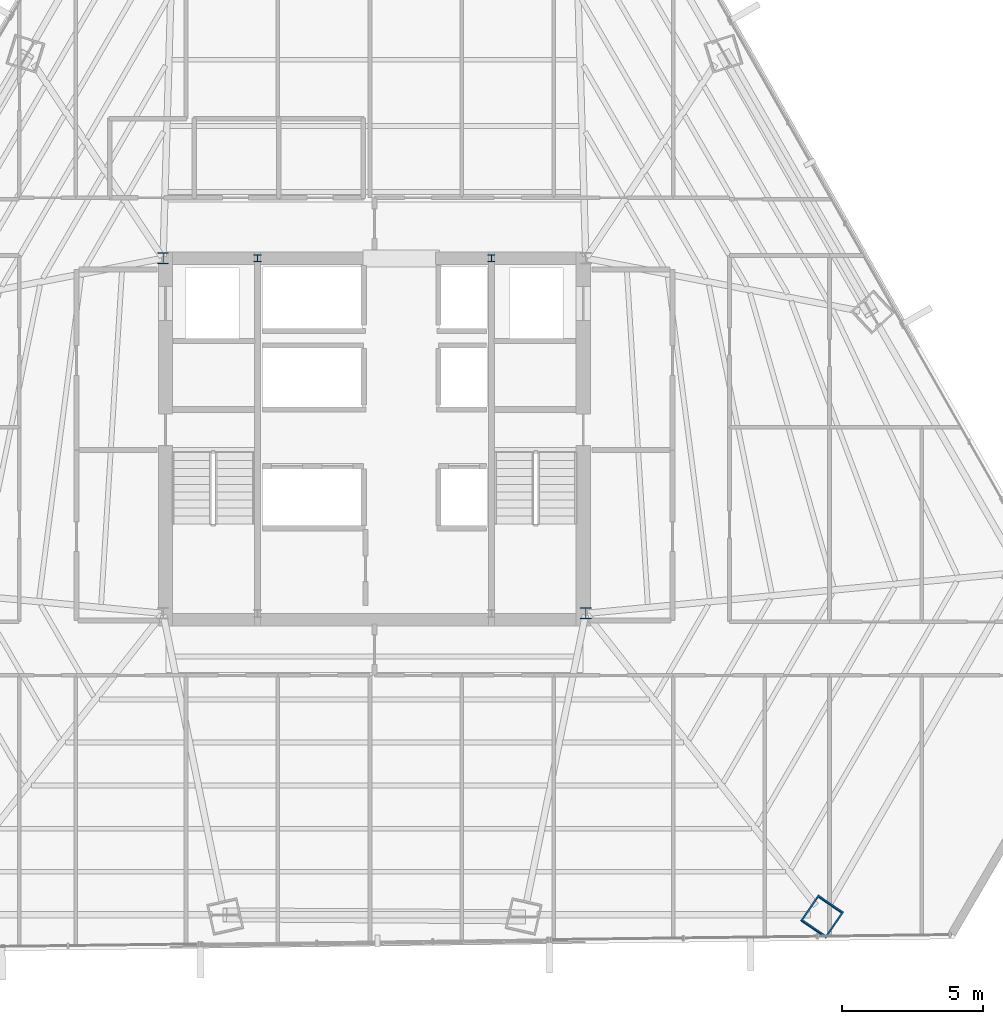
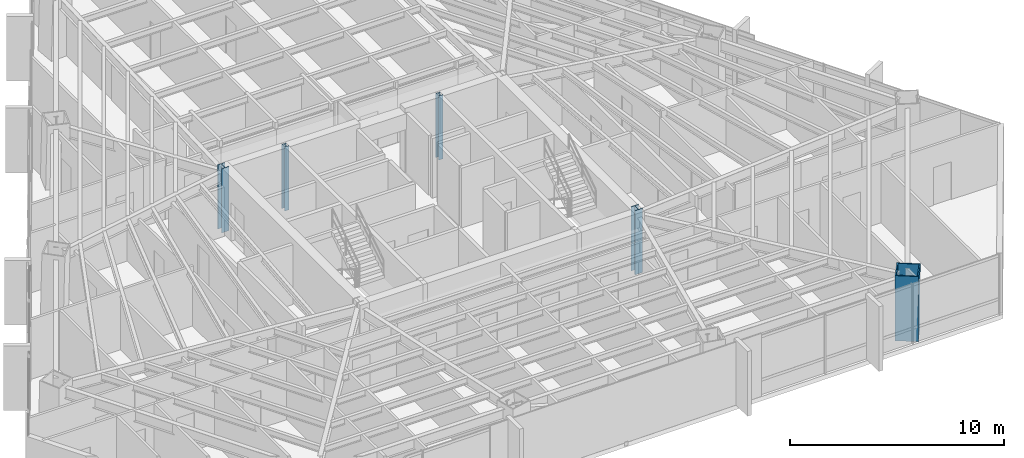
# One storey, part 2 of 37: 5 columns.
"""IFC4 building model written with IfcOpenShell, lengths in metres."""

from ifc_helpers import new_model, si_unit, direction, frame, origin, origin_2d, place, context, subcontext, project, spatial, hollow_rectangle, i_section, extrude, source, transform, mapped, material, material_profile, profile_set, type_object, type_shapes, element, save


model = new_model("IFC4")

# Units and contexts
model_context = context("Model", 3, precision=1e-05, world=origin(), true_north=direction((0.0, 1.0)))
body_context = subcontext(model_context, "Body", "Model", "MODEL_VIEW")
ifc_project = project(units=[si_unit("LENGTHUNIT", "METRE"), si_unit("AREAUNIT", "SQUARE_METRE"), si_unit("VOLUMEUNIT", "CUBIC_METRE"), si_unit("PLANEANGLEUNIT", "RADIAN"), si_unit("MASSUNIT", "GRAM", prefix="KILO")], contexts=[model_context])

# Site, building, storey
site_placement = place(None, origin())
site = spatial("IfcSite", under=ifc_project, at=site_placement, CompositionType="ELEMENT")
building_placement = place(site_placement, origin())
building = spatial("IfcBuilding", under=site, at=building_placement, Name="Caelisora Broadcast Tower", CompositionType="ELEMENT")
storey_placement = place(building_placement, frame((0.0, 0.0, 120.0)))
storey = spatial("IfcBuildingStorey", under=building, at=storey_placement, Name="L31", CompositionType="ELEMENT", Elevation=120.0)

# Columns
ifc_material_1 = material(Name="Steel Grade 350 (AS/NZS 3679.1)", Category="steel")
ifc_material_profile_1 = material_profile(ifc_material_1, i_section(OverallWidth=0.256103515625, OverallDepth=0.260009765625, WebThickness=0.010498046875, FlangeThickness=0.017333984375, at=origin_2d()), Name="Steel Grade 350 (AS/NZS 3679.1)")
ifc_profile_set_1 = profile_set([ifc_material_profile_1], Name="Steel Grade 350 (AS/NZS 3679.1)")
column_type_1 = type_object("IfcColumnType", Name="CC05", PredefinedType="COLUMN", material=ifc_profile_set_1)
shared_shape_1 = source(origin(), body_context, "Body", "SweptSolid", [
    extrude(i_section(OverallWidth=0.256103515625, OverallDepth=0.260009765625, WebThickness=0.010498046875, FlangeThickness=0.017333984375, at=origin_2d()), origin(), (0.0, 0.0, 1.0), 3.64990234375),
])
type_shapes(column_type_1, [shared_shape_1])
for number, where, z_axis, x_axis, name in (
    (1, (33.85009765625, 30.0, 0.0), (0.0, 0.0, 1.0), (1.0, 0.0, 0.0), "L31 column CC05"),
    (2, (42.14990234375, 30.0, 0.0), (0.0, 0.0, 1.0), (1.0, 0.0, 0.0), "L31 column CC05"),
):
    element("IfcColumn", number, at=place(storey_placement, frame(where, z_axis=z_axis, x_axis=x_axis)), inside=storey, type_object=column_type_1, Name=name, PredefinedType="COLUMN", context=body_context, shape_type="MappedRepresentation", body=[
        mapped(shared_shape_1, transform((0.0, 0.0, 0.0), scale=1.0)),
    ])
ifc_material_2 = material(Name="Steel Grade 350 (AS/NZS 3679.2)", Category="steel")
ifc_material_profile_2 = material_profile(ifc_material_2, i_section(OverallWidth=0.39990234375, OverallDepth=0.39990234375, WebThickness=0.02001953125, FlangeThickness=0.031982421875, at=origin_2d()), Name="Steel Grade 350 (AS/NZS 3679.2)")
ifc_profile_set_2 = profile_set([ifc_material_profile_2], Name="Steel Grade 350 (AS/NZS 3679.2)")
column_type_2 = type_object("IfcColumnType", Name="CC02", PredefinedType="COLUMN", material=ifc_profile_set_2)
shared_shape_2 = source(origin(), body_context, "Body", "SweptSolid", [
    extrude(i_section(OverallWidth=0.39990234375, OverallDepth=0.39990234375, WebThickness=0.02001953125, FlangeThickness=0.031982421875, at=origin_2d()), origin(), (0.0, 0.0, 1.0), 3.64990234375),
])
type_shapes(column_type_2, [shared_shape_2])
for number, where, z_axis, x_axis, name in (
    (3, (45.5, 17.39990234375, 0.0), (0.0, 0.0, 1.0), (1.0, 0.0, 0.0), "L31 column CC02"),
    (4, (30.5, 30.0, 0.0), (0.0, 0.0, 1.0), (1.0, 0.0, 0.0), "L31 column CC02"),
):
    element("IfcColumn", number, at=place(storey_placement, frame(where, z_axis=z_axis, x_axis=x_axis)), inside=storey, type_object=column_type_2, Name=name, PredefinedType="COLUMN", context=body_context, shape_type="MappedRepresentation", body=[
        mapped(shared_shape_2, transform((0.0, 0.0, 0.0), scale=1.0)),
    ])
ifc_material_3 = material(Name="Steel Grade 350 L15 (AS/NZS 3678)", Category="steel")
ifc_material_profile_3 = material_profile(ifc_material_3, hollow_rectangle(XDim=1.10009765625, YDim=1.10009765625, WallThickness=0.06005859375, at=origin_2d()), Name="Steel Grade 350 L15 (AS/NZS 3678)")
ifc_profile_set_3 = profile_set([ifc_material_profile_3], Name="Steel Grade 350 L15 (AS/NZS 3678)")
column_type_3 = type_object("IfcColumnType", Name="MC03", PredefinedType="COLUMN", material=ifc_profile_set_3)
shared_shape_3 = source(origin(), body_context, "Body", "SweptSolid", [
    extrude(hollow_rectangle(XDim=1.10009765625, YDim=1.10009765625, WallThickness=0.06005859375, at=origin_2d()), origin(), (0.0, 0.0, 1.0), 3.65087890625),
])
type_shapes(column_type_3, [shared_shape_3])
column_placement = place(storey_placement, frame((53.876708984375, 6.630126953125, 0.0), z_axis=(0.013507825582, 0.019793645407, 0.999712833893), x_axis=(-0.825991119814, 0.563683129062, 0.0)))
element("IfcColumn", 5, at=column_placement, inside=storey, type_object=column_type_3, Name="L31 column MC03", PredefinedType="COLUMN", context=body_context, shape_type="MappedRepresentation", body=[
    mapped(shared_shape_3, transform((0.0, 0.0, 0.0), scale=1.0)),
])

save(model, "model.ifc")
